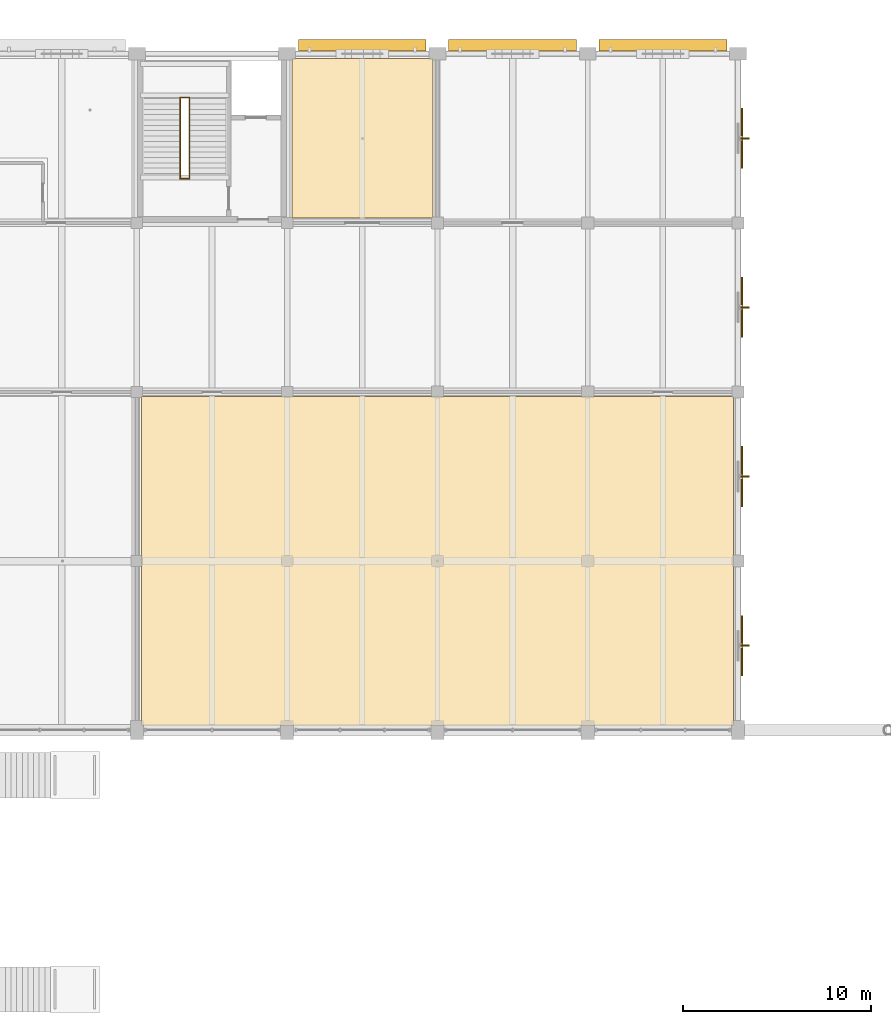
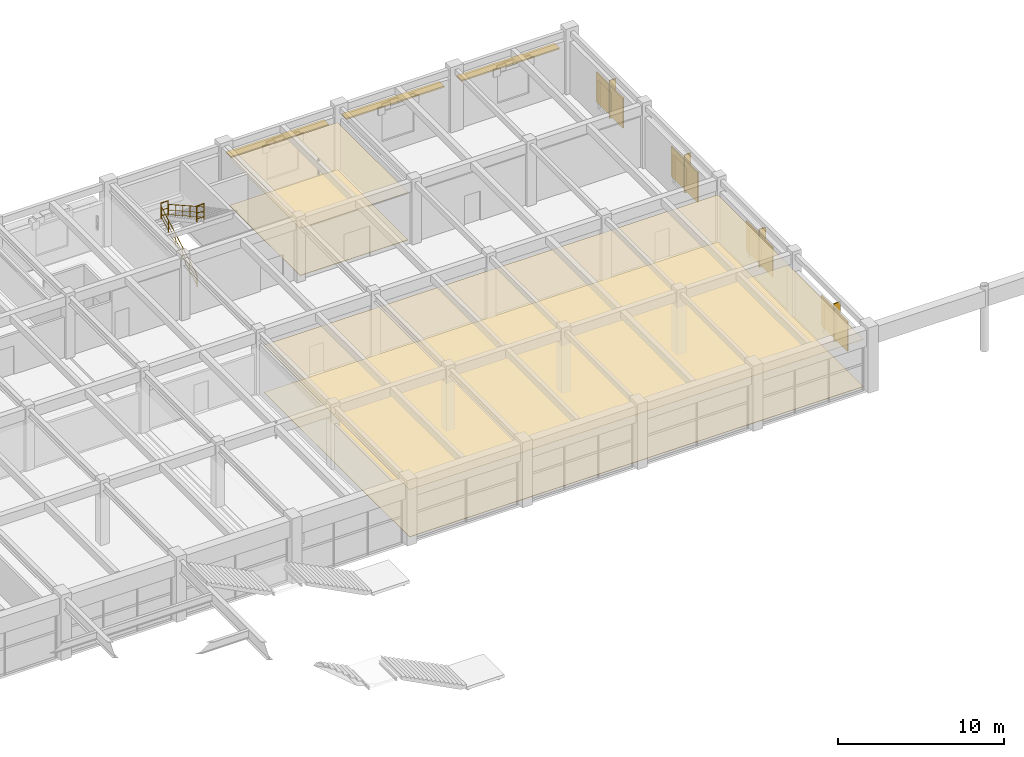
# One storey, part 143 of 144: 11 shading devices, 4 coverings, 4 railings.
"""IFC4 building model written with IfcOpenShell, lengths in metres."""

from ifc_helpers import new_model, si_unit, direction, frame, origin, origin_2d, place, context, subcontext, project, spatial, polyline, rectangle, circle, outline, extrude, material, layer, layer_set, type_object, element, save


model = new_model("IFC4")

# Units and contexts
model_context = context("Model", 3, precision=1e-05, world=origin(), true_north=direction((0.0, 1.0)))
body_context = subcontext(model_context, "Body", "Model", "MODEL_VIEW")
ifc_project = project(units=[si_unit("LENGTHUNIT", "METRE"), si_unit("AREAUNIT", "SQUARE_METRE"), si_unit("VOLUMEUNIT", "CUBIC_METRE"), si_unit("PLANEANGLEUNIT", "RADIAN"), si_unit("MASSUNIT", "GRAM", prefix="KILO")], contexts=[model_context])

# Site, building, storey
site_placement = place(None, origin())
site = spatial("IfcSite", under=ifc_project, at=site_placement, CompositionType="ELEMENT")
building_placement = place(site_placement, origin())
building = spatial("IfcBuilding", under=site, at=building_placement, Name="Varnabhumi Central Station", CompositionType="ELEMENT")
storey_placement = place(building_placement, frame((0.0, 0.0, 4.800048828125)))
storey = spatial("IfcBuildingStorey", under=building, at=storey_placement, Name="L01", CompositionType="ELEMENT", Elevation=4.800048828125)

# Coverings
ifc_material_1 = material(Name="Mineral-fibre acoustic tile")
ifc_layer_1 = layer(ifc_material_1, 0.02490234375, Name="Mineral-fibre acoustic tile")
ifc_layer_set_1 = layer_set([ifc_layer_1], Name="Mineral-fibre acoustic tile")
covering_type_1 = type_object("IfcCoveringType", Name="COV-CEIL-ACOUSTIC", PredefinedType="CEILING", material=ifc_layer_set_1)
covering_1_placement = place(storey_placement, frame((0.0, 0.0, 3.469970703125)))
element("IfcCovering", 1, at=covering_1_placement, inside=storey, type_object=covering_type_1, Name="General Transit Dormitory Acoustic Ceiling", PredefinedType="CEILING", context=body_context, shape_type="SweptSolid", body=[
    extrude(outline(polyline([(128.25, 80.25), (159.75, 80.25), (159.75, 97.75), (128.25, 97.75), (128.25, 80.25)])), origin(), (0.0, 0.0, 1.0), 0.02490234375),
])
covering_2_placement = place(storey_placement, frame((0.0, 0.0, 3.469970703125)))
element("IfcCovering", 2, at=covering_2_placement, inside=storey, type_object=covering_type_1, Name="Infant Nursing and Family Care Suite Acoustic Ceiling", PredefinedType="CEILING", context=body_context, shape_type="SweptSolid", body=[
    extrude(outline(polyline([(136.25, 107.25), (143.75, 107.25), (143.75, 115.75), (136.25, 115.75), (136.25, 107.25)])), origin(), (0.0, 0.0, 1.0), 0.02490234375),
])
ifc_material_2 = material(Name="Vitrified granite stone flooring", Category="masonry")
ifc_layer_2 = layer(ifc_material_2, 0.030029296875, Name="Vitrified granite stone flooring", Category="masonry")
ifc_layer_set_2 = layer_set([ifc_layer_2], Name="Vitrified granite stone flooring")
covering_type_2 = type_object("IfcCoveringType", Name="COV-FLOR-GRANITE", PredefinedType="FLOORING", material=ifc_layer_set_2)
covering_3_placement = place(storey_placement, origin())
element("IfcCovering", 3, at=covering_3_placement, inside=storey, type_object=covering_type_2, Name="General Transit Dormitory Granite Flooring", PredefinedType="FLOORING", context=body_context, shape_type="SweptSolid", body=[
    extrude(outline(polyline([(128.25, 80.25), (159.75, 80.25), (159.75, 97.75), (128.25, 97.75), (128.25, 80.25)])), origin(), (0.0, 0.0, 1.0), 0.030029296875),
])
covering_4_placement = place(storey_placement, origin())
element("IfcCovering", 4, at=covering_4_placement, inside=storey, type_object=covering_type_2, Name="Infant Nursing and Family Care Suite Granite Flooring", PredefinedType="FLOORING", context=body_context, shape_type="SweptSolid", body=[
    extrude(outline(polyline([(136.25, 107.25), (143.75, 107.25), (143.75, 115.75), (136.25, 115.75), (136.25, 107.25)])), origin(), (0.0, 0.0, 1.0), 0.030029296875),
])

# Railings
ifc_material_3 = material(Name="Stainless steel Grade 316", Category="steel")
railing_type_1 = type_object("IfcRailingType", Name="RAIL-STAIR-GRD-1150", PredefinedType="GUARDRAIL", material=ifc_material_3)
for number, where, name in (
    (5, (130.300048828125, 113.675048828125, 2.39990234375), "ST-N3 L01 Half-Landing Well Guard"),
    (6, (130.300048828125, 109.360107421875, 4.800048828125), "ST-N3 L01 Arrival Slot Guard"),
):
    element("IfcRailing", number, at=place(storey_placement, frame(where)), inside=storey, type_object=railing_type_1, Name=name, PredefinedType="GUARDRAIL", context=body_context, shape_type="SweptSolid", body=[
        extrude(circle(Radius=0.02392578125, at=origin_2d()), frame((0.0, 0.0, 1.1259765625), z_axis=(1.0, 0.0, 0.0), x_axis=(0.0, 1.0, 0.0)), (0.0, 0.0, 1.0), 0.5),
        extrude(circle(Radius=0.01416015625, at=origin_2d()), frame((0.0, 0.0, 0.597900390625), z_axis=(1.0, 0.0, 0.0), x_axis=(0.0, 1.0, 0.0)), (0.0, 0.0, 1.0), 0.5),
        extrude(circle(Radius=0.01416015625, at=origin_2d()), frame((0.0, 0.0, 0.18408203125), z_axis=(1.0, 0.0, 0.0), x_axis=(0.0, 1.0, 0.0)), (0.0, 0.0, 1.0), 0.5),
        extrude(circle(Radius=0.02099609375, at=origin_2d()), origin(), (0.0, 0.0, 1.0), 1.101806640625),
        extrude(circle(Radius=0.02099609375, at=origin_2d()), frame((0.5, 0.0, 0.0)), (0.0, 0.0, 1.0), 1.101806640625),
    ])
railing_type_2 = type_object("IfcRailingType", Name="RAIL-STAIR-HR-920", PredefinedType="HANDRAIL", material=ifc_material_3)
railing_1_placement = place(storey_placement, frame((130.300048828125, 109.340087890625, 0.0)))
element("IfcRailing", 7, at=railing_1_placement, inside=storey, type_object=railing_type_2, Name="ST-N3 L01 Flight 1 Handrail", PredefinedType="HANDRAIL", context=body_context, shape_type="SweptSolid", body=[
    extrude(circle(Radius=0.02392578125, at=origin_2d()), frame((0.0, 0.0, 0.89599609375), z_axis=(0.0, 0.871987514779, 0.489528113665), x_axis=(-1.0, 0.0, 0.0)), (0.0, 0.0, 1.0), 4.902587890625),
    extrude(circle(Radius=0.01416015625, at=origin_2d()), frame((0.0, 0.0, 0.478271484375), z_axis=(0.0, 0.871987514779, 0.489528113665), x_axis=(-1.0, 0.0, 0.0)), (0.0, 0.0, 1.0), 4.902587890625),
    extrude(circle(Radius=0.01416015625, at=origin_2d()), frame((0.0, 0.0, 0.147216796875), z_axis=(0.0, 0.871987514779, 0.489528113665), x_axis=(-1.0, 0.0, 0.0)), (0.0, 0.0, 1.0), 4.902587890625),
    extrude(circle(Radius=0.02099609375, at=origin_2d()), origin(), (0.0, 0.0, 1.0), 0.871826171875),
    extrude(circle(Radius=0.02099609375, at=origin_2d()), frame((0.0, 0.85498046875, 0.47998046875)), (0.0, 0.0, 1.0), 0.871826171875),
    extrude(circle(Radius=0.02099609375, at=origin_2d()), frame((0.0, 1.7099609375, 0.9599609375)), (0.0, 0.0, 1.0), 0.871826171875),
    extrude(circle(Radius=0.02099609375, at=origin_2d()), frame((0.0, 2.56494140625, 1.43994140625)), (0.0, 0.0, 1.0), 0.871826171875),
    extrude(circle(Radius=0.02099609375, at=origin_2d()), frame((0.0, 3.419921875, 1.919921875)), (0.0, 0.0, 1.0), 0.871826171875),
    extrude(circle(Radius=0.02099609375, at=origin_2d()), frame((0.0, 4.27490234375, 2.39990234375)), (0.0, 0.0, 1.0), 0.871826171875),
])
railing_2_placement = place(storey_placement, frame((130.800048828125, 113.614990234375, 2.39990234375)))
element("IfcRailing", 8, at=railing_2_placement, inside=storey, type_object=railing_type_2, Name="ST-N3 L01 Flight 2 Handrail", PredefinedType="HANDRAIL", context=body_context, shape_type="SweptSolid", body=[
    extrude(circle(Radius=0.02392578125, at=origin_2d()), frame((0.0, 0.0, 0.89599609375), z_axis=(0.0, -0.871966256983, 0.489565977864), x_axis=(1.0, 0.0, 0.0)), (0.0, 0.0, 1.0), 4.902587890625),
    extrude(circle(Radius=0.01416015625, at=origin_2d()), frame((0.0, 0.0, 0.478271484375), z_axis=(0.0, -0.871966256983, 0.489565977864), x_axis=(1.0, 0.0, 0.0)), (0.0, 0.0, 1.0), 4.902587890625),
    extrude(circle(Radius=0.01416015625, at=origin_2d()), frame((0.0, 0.0, 0.147216796875), z_axis=(0.0, -0.871966256983, 0.489565977864), x_axis=(1.0, 0.0, 0.0)), (0.0, 0.0, 1.0), 4.902587890625),
    extrude(circle(Radius=0.02099609375, at=origin_2d()), origin(), (0.0, 0.0, 1.0), 0.871826171875),
    extrude(circle(Radius=0.02099609375, at=origin_2d()), frame((0.0, -0.85498046875, 0.47998046875)), (0.0, 0.0, 1.0), 0.871826171875),
    extrude(circle(Radius=0.02099609375, at=origin_2d()), frame((0.0, -1.7099609375, 0.9599609375)), (0.0, 0.0, 1.0), 0.871826171875),
    extrude(circle(Radius=0.02099609375, at=origin_2d()), frame((0.0, -2.56494140625, 1.440185546875)), (0.0, 0.0, 1.0), 0.871826171875),
    extrude(circle(Radius=0.02099609375, at=origin_2d()), frame((0.0, -3.419921875, 1.920166015625)), (0.0, 0.0, 1.0), 0.871826171875),
    extrude(circle(Radius=0.02099609375, at=origin_2d()), frame((0.0, -4.27490234375, 2.400146484375)), (0.0, 0.0, 1.0), 0.871826171875),
])

# Shading devices
ifc_material_4 = material(Name="Terracotta clay Mission barrel tile", Category="masonry")
ifc_layer_3 = layer(ifc_material_4, 0.080078125, Name="Terracotta clay Mission barrel tile", Category="masonry")
ifc_layer_set_3 = layer_set([ifc_layer_3], Name="Terracotta clay Mission barrel tile")
shading_device_type_1 = type_object("IfcShadingDeviceType", Name="SHD-CELOSIA-JALI", PredefinedType="JALOUSIE", material=ifc_layer_set_3)
for number, where, z_axis, x_axis, name in (
    (9, (160.2099609375, 84.5, 0.85009765625), (0.0, 0.0, 1.0), (1.0, 0.0, 0.0), "Terracotta Celosia Screen N-L01-W1"),
    (10, (160.2099609375, 93.5, 0.85009765625), (0.0, 0.0, 1.0), (1.0, 0.0, 0.0), "Terracotta Celosia Screen N-L01-W2"),
    (11, (160.2099609375, 102.5, 0.85009765625), (0.0, 0.0, 1.0), (1.0, 0.0, 0.0), "Terracotta Celosia Screen N-L01-W3"),
    (12, (160.2099609375, 111.5, 0.85009765625), (0.0, 0.0, 1.0), (1.0, 0.0, 0.0), "Terracotta Celosia Screen N-L01-W4"),
):
    element("IfcShadingDevice", number, at=place(storey_placement, frame(where, z_axis=z_axis, x_axis=x_axis)), inside=storey, type_object=shading_device_type_1, Name=name, PredefinedType="JALOUSIE", context=body_context, shape_type="SweptSolid", body=[
        extrude(rectangle(XDim=0.080078125, YDim=3.199951171875, at=origin_2d()), origin(), (0.0, 0.0, 1.0), 2.199951171875),
    ])
ifc_material_5 = material(Name="Precast concrete M45", Category="concrete")
ifc_layer_4 = layer(ifc_material_5, 0.10009765625, Name="Precast concrete M45", Category="concrete")
ifc_layer_set_4 = layer_set([ifc_layer_4], Name="Precast concrete M45")
shading_device_type_2 = type_object("IfcShadingDeviceType", Name="SHD-CHAJJA-600", PredefinedType="AWNING", material=ifc_layer_set_4)
for number, where, z_axis, x_axis, name in (
    (13, (140.0, 116.449951171875, 3.1298828125), (0.0, 0.0, 1.0), (1.0, 0.0, 0.0), "Chajja Overhang N-L01-18"),
    (14, (148.0, 116.449951171875, 3.1298828125), (0.0, 0.0, 1.0), (1.0, 0.0, 0.0), "Chajja Overhang N-L01-19"),
    (15, (156.0, 116.449951171875, 3.1298828125), (0.0, 0.0, 1.0), (1.0, 0.0, 0.0), "Chajja Overhang N-L01-20"),
):
    element("IfcShadingDevice", number, at=place(storey_placement, frame(where, z_axis=z_axis, x_axis=x_axis)), inside=storey, type_object=shading_device_type_2, Name=name, PredefinedType="AWNING", context=body_context, shape_type="SweptSolid", body=[
        extrude(rectangle(XDim=6.800048828125, YDim=0.60009765625, at=origin_2d()), origin(), (0.0, 0.0, 1.0), 0.10009765625),
    ])
ifc_material_6 = material(Name="Anodised aluminium 6063-T6", Category="aluminium")
shading_device_type_3 = type_object("IfcShadingDeviceType", Name="SHD-LOUVER-FIN", PredefinedType="SHUTTER", material=ifc_material_6)
for number, where, z_axis, x_axis, name in (
    (16, (160.3798828125, 84.5, 0.60009765625), (0.0, 0.0, 1.0), (1.0, 0.0, 0.0), "West Solar Louver Fin 5"),
    (17, (160.3798828125, 93.5, 0.60009765625), (0.0, 0.0, 1.0), (1.0, 0.0, 0.0), "West Solar Louver Fin 6"),
    (18, (160.3798828125, 102.5, 0.60009765625), (0.0, 0.0, 1.0), (1.0, 0.0, 0.0), "West Solar Louver Fin 7"),
    (19, (160.3798828125, 111.5, 0.60009765625), (0.0, 0.0, 1.0), (1.0, 0.0, 0.0), "West Solar Louver Fin 8"),
):
    element("IfcShadingDevice", number, at=place(storey_placement, frame(where, z_axis=z_axis, x_axis=x_axis)), inside=storey, type_object=shading_device_type_3, Name=name, PredefinedType="SHUTTER", context=body_context, shape_type="SweptSolid", body=[
        extrude(rectangle(XDim=0.449951171875, YDim=0.080078125, at=origin_2d()), origin(), (0.0, 0.0, 1.0), 2.800048828125),
    ])

save(model, "model.ifc")
